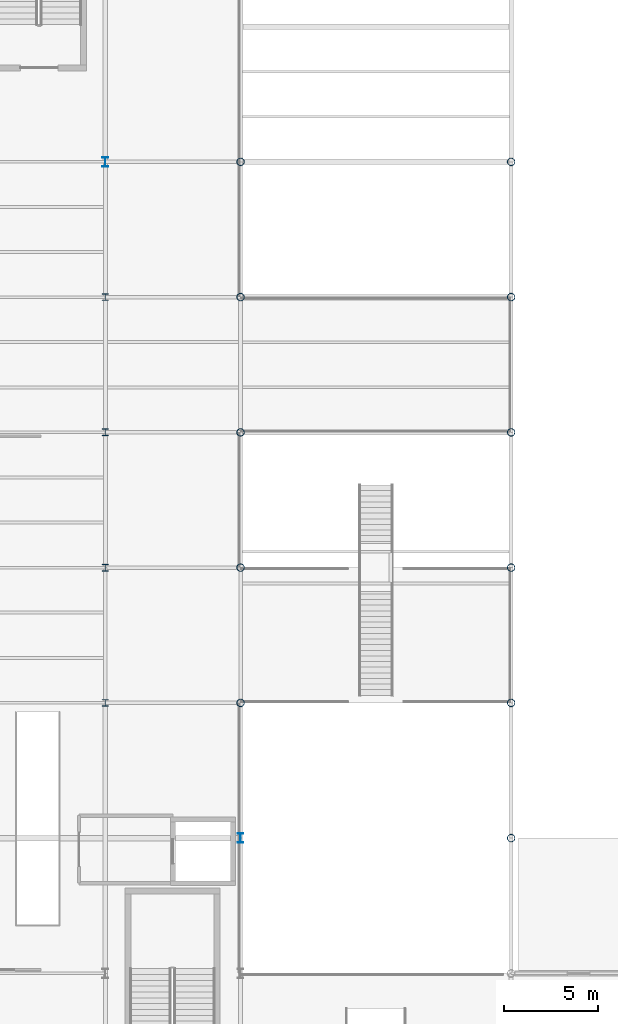
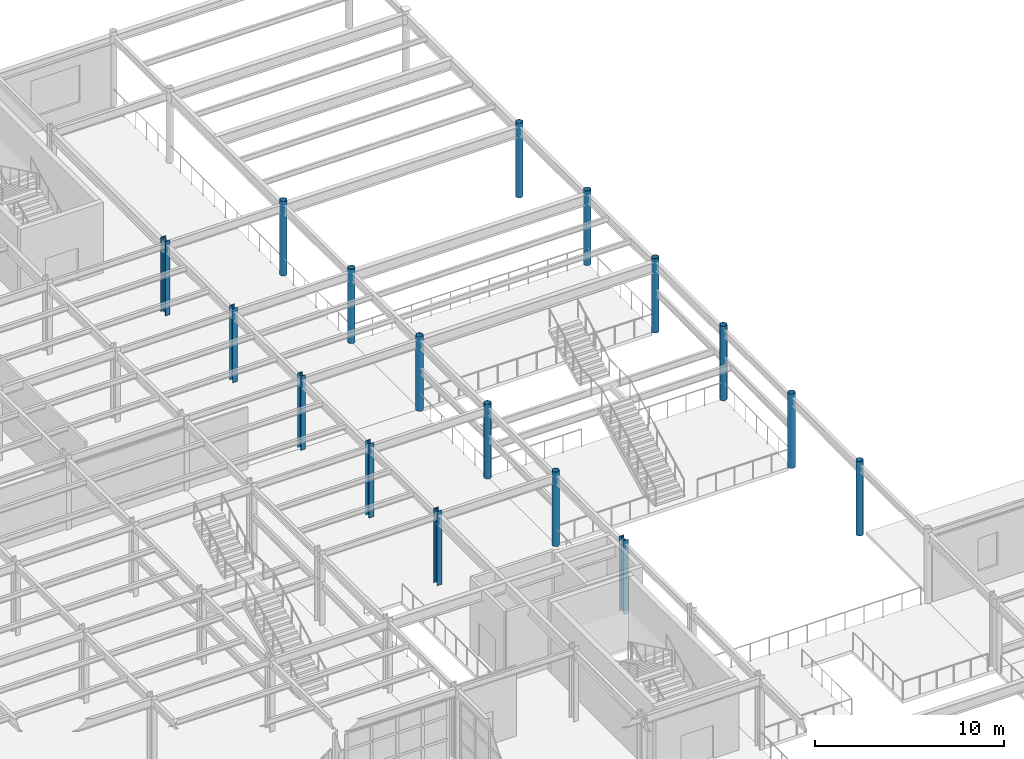
# One storey, part 12 of 121: 17 columns.
"""IFC4 building model written with IfcOpenShell, lengths in metres."""

from ifc_helpers import new_model, si_unit, direction, frame, origin, origin_2d, place, context, subcontext, project, spatial, hollow_circle, i_section, extrude, material, material_profile, profile_set, type_object, element, save


model = new_model("IFC4")

# Units and contexts
model_context = context("Model", 3, precision=1e-05, world=origin(), true_north=direction((0.0, 1.0)))
body_context = subcontext(model_context, "Body", "Model", "MODEL_VIEW")
ifc_project = project(units=[si_unit("LENGTHUNIT", "METRE"), si_unit("AREAUNIT", "SQUARE_METRE"), si_unit("VOLUMEUNIT", "CUBIC_METRE"), si_unit("PLANEANGLEUNIT", "RADIAN"), si_unit("MASSUNIT", "GRAM", prefix="KILO")], contexts=[model_context])

# Site, building, storey
site_placement = place(None, origin())
site = spatial("IfcSite", under=ifc_project, at=site_placement, CompositionType="ELEMENT")
building_placement = place(site_placement, origin())
building = spatial("IfcBuilding", under=site, at=building_placement, Name="Solvadek Multi-Sports Hall", CompositionType="ELEMENT")
storey_placement = place(building_placement, frame((0.0, 0.0, 4.800048828125)))
storey = spatial("IfcBuildingStorey", under=building, at=storey_placement, Name="L01", CompositionType="ELEMENT", Elevation=4.800048828125)

# Columns
ifc_material = material(Name="Steel E350 (350 MPa)", Category="steel")
ifc_material_profile_1 = material_profile(ifc_material, hollow_circle(Radius=0.203125, WallThickness=0.01611328125, at=origin_2d()), Name="CHS 406.4x16")
ifc_profile_set_1 = profile_set([ifc_material_profile_1], Name="Steel E350 (350 MPa)")
column_type_1 = type_object("IfcColumnType", Name="STR-COL-CHS406", PredefinedType="COLUMN", material=ifc_profile_set_1)
for number, where, z_axis, x_axis, name in (
    (1, (72.0, 63.60009765625, 0.0), (0.0, 0.0, 1.0), (1.0, 0.0, 0.0), "L01 Column C-11 #153"),
    (2, (72.0, 70.800048828125, 0.0), (0.0, 0.0, 1.0), (1.0, 0.0, 0.0), "L01 Column C-11 #154"),
    (3, (72.0, 78.0, 0.0), (0.0, 0.0, 1.0), (1.0, 0.0, 0.0), "L01 Column C-11 #155"),
    (4, (72.0, 85.199951171875, 0.0), (0.0, 0.0, 1.0), (1.0, 0.0, 0.0), "L01 Column C-11 #156"),
    (5, (72.0, 92.39990234375, 0.0), (0.0, 0.0, 1.0), (1.0, 0.0, 0.0), "L01 Column C-11 #157"),
    (6, (86.39990234375, 56.39990234375, 0.0), (0.0, 0.0, 1.0), (1.0, 0.0, 0.0), "L01 Column C-11 #182"),
    (7, (86.39990234375, 63.60009765625, 0.0), (0.0, 0.0, 1.0), (1.0, 0.0, 0.0), "L01 Column C-11 #183"),
    (8, (86.39990234375, 70.800048828125, 0.0), (0.0, 0.0, 1.0), (1.0, 0.0, 0.0), "L01 Column C-11 #184"),
    (9, (86.39990234375, 78.0, 0.0), (0.0, 0.0, 1.0), (1.0, 0.0, 0.0), "L01 Column C-11 #185"),
    (10, (86.39990234375, 85.199951171875, 0.0), (0.0, 0.0, 1.0), (1.0, 0.0, 0.0), "L01 Column C-11 #186"),
    (11, (86.39990234375, 92.39990234375, 0.0), (0.0, 0.0, 1.0), (1.0, 0.0, 0.0), "L01 Column C-11 #187"),
):
    element("IfcColumn", number, at=place(storey_placement, frame(where, z_axis=z_axis, x_axis=x_axis)), inside=storey, type_object=column_type_1, Name=name, PredefinedType="COLUMN", context=body_context, shape_type="SweptSolid", body=[
        extrude(hollow_circle(Radius=0.203125, WallThickness=0.01611328125, at=origin_2d()), origin(), (0.0, 0.0, 1.0), 4.800048828125),
    ])
ifc_material_profile_2 = material_profile(ifc_material, i_section(OverallWidth=0.300048828125, OverallDepth=0.360107421875, WebThickness=0.012451171875, FlangeThickness=0.0224609375, at=origin_2d()), Name="WPB 360")
ifc_profile_set_2 = profile_set([ifc_material_profile_2], Name="Steel E350 (350 MPa)")
column_type_2 = type_object("IfcColumnType", Name="STR-COL-WPB360", PredefinedType="COLUMN", material=ifc_profile_set_2)
for number, where, z_axis, x_axis, name in (
    (12, (64.800048828125, 63.60009765625, 0.0), (0.0, 0.0, 1.0), (1.0, 0.0, 0.0), "L01 Column C-08 #137"),
    (13, (64.800048828125, 70.800048828125, 0.0), (0.0, 0.0, 1.0), (1.0, 0.0, 0.0), "L01 Column C-08 #138"),
    (14, (64.800048828125, 78.0, 0.0), (0.0, 0.0, 1.0), (1.0, 0.0, 0.0), "L01 Column C-08 #139"),
    (15, (64.800048828125, 85.199951171875, 0.0), (0.0, 0.0, 1.0), (1.0, 0.0, 0.0), "L01 Column C-08 #140"),
):
    element("IfcColumn", number, at=place(storey_placement, frame(where, z_axis=z_axis, x_axis=x_axis)), inside=storey, type_object=column_type_2, Name=name, PredefinedType="COLUMN", context=body_context, shape_type="SweptSolid", body=[
        extrude(i_section(OverallWidth=0.300048828125, OverallDepth=0.360107421875, WebThickness=0.012451171875, FlangeThickness=0.0224609375, at=origin_2d()), origin(), (0.0, 0.0, 1.0), 4.800048828125),
    ])
ifc_material_profile_3 = material_profile(ifc_material, i_section(OverallWidth=0.300048828125, OverallDepth=0.5, WebThickness=0.014404296875, FlangeThickness=0.028076171875, at=origin_2d()), Name="WPB 500")
ifc_profile_set_3 = profile_set([ifc_material_profile_3], Name="Steel E350 (350 MPa)")
column_type_3 = type_object("IfcColumnType", Name="STR-COL-WPB500", PredefinedType="COLUMN", material=ifc_profile_set_3)
for number, where, z_axis, x_axis, name in (
    (16, (64.800048828125, 92.39990234375, 0.0), (0.0, 0.0, 1.0), (1.0, 0.0, 0.0), "L01 Column C-05 #141"),
    (17, (72.0, 56.39990234375, 0.0), (0.0, 0.0, 1.0), (1.0, 0.0, 0.0), "L01 Column C-05 #152"),
):
    element("IfcColumn", number, at=place(storey_placement, frame(where, z_axis=z_axis, x_axis=x_axis)), inside=storey, type_object=column_type_3, Name=name, PredefinedType="COLUMN", context=body_context, shape_type="SweptSolid", body=[
        extrude(i_section(OverallWidth=0.300048828125, OverallDepth=0.5, WebThickness=0.014404296875, FlangeThickness=0.028076171875, at=origin_2d()), origin(), (0.0, 0.0, 1.0), 4.800048828125),
    ])

save(model, "model.ifc")
